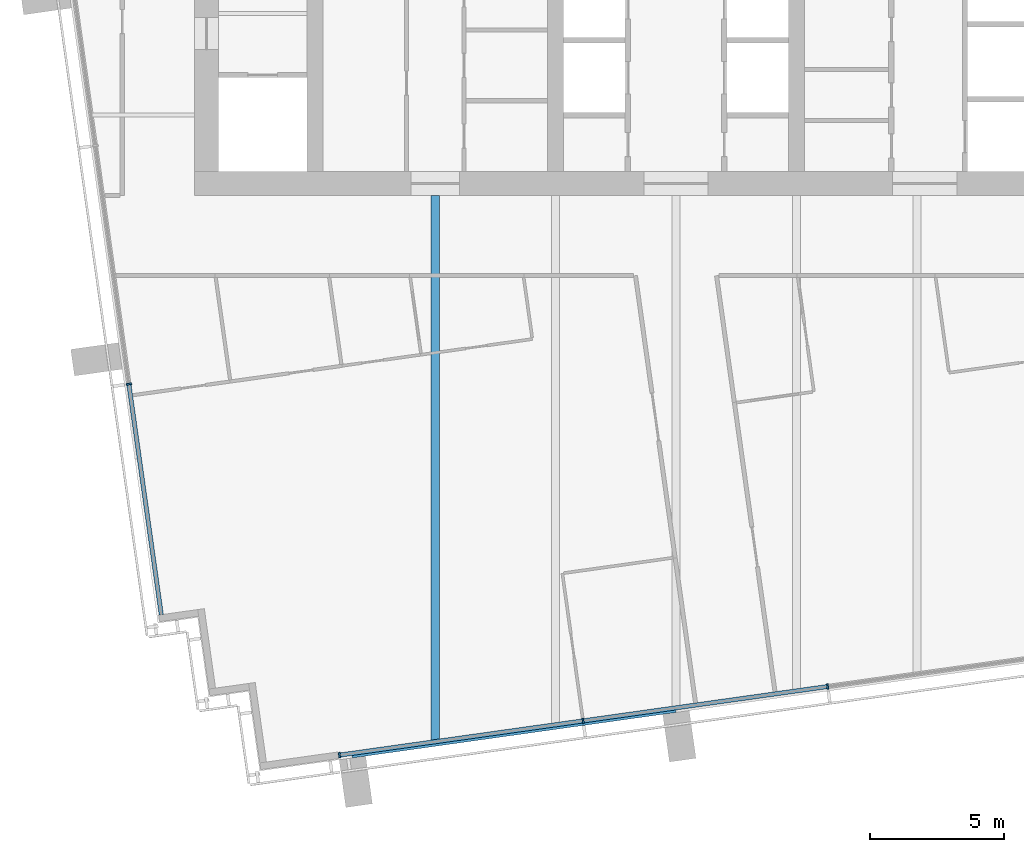
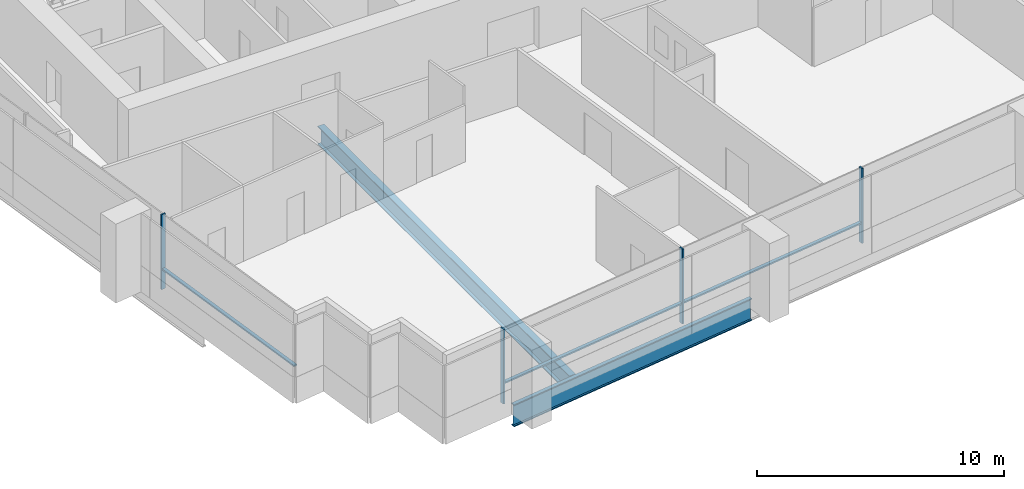
# One storey, part 2 of 18: 7 members, 2 beams, 2 elements without a shape of their own.
"""IFC4 building model written with IfcOpenShell, lengths in metres."""

from ifc_helpers import new_model, si_unit, direction, frame, origin, origin_2d, place, context, subcontext, project, spatial, rectangle, i_section, extrude, material, layer, layer_set, material_profile, profile_set, type_object, element, aggregate, save


model = new_model("IFC4")

# Units and contexts
model_context = context("Model", 3, precision=1e-05, world=origin(), true_north=direction((0.0, 1.0)))
body_context = subcontext(model_context, "Body", "Model", "MODEL_VIEW")
ifc_project = project(units=[si_unit("LENGTHUNIT", "METRE"), si_unit("AREAUNIT", "SQUARE_METRE"), si_unit("VOLUMEUNIT", "CUBIC_METRE"), si_unit("PLANEANGLEUNIT", "RADIAN"), si_unit("MASSUNIT", "GRAM", prefix="KILO")], contexts=[model_context])

# Site, building, storey
site_placement = place(None, origin())
site = spatial("IfcSite", under=ifc_project, at=site_placement, CompositionType="ELEMENT")
building_placement = place(site_placement, origin())
building = spatial("IfcBuilding", under=site, at=building_placement, Name="Rattan Terrace Tower", CompositionType="ELEMENT")
storey_placement = place(building_placement, frame((0.0, 0.0, 233.0)))
storey = spatial("IfcBuildingStorey", under=building, at=storey_placement, Name="L53", CompositionType="ELEMENT", Elevation=233.0)

# Beams
ifc_material_1 = material(Name="Steel S460", Category="steel")
ifc_material_profile_1 = material_profile(ifc_material_1, i_section(OverallWidth=0.179931640625, OverallDepth=1.10009765625, WebThickness=0.01611328125, FlangeThickness=0.050048828125, at=origin_2d()), Name="PG 1100x180-16-50")
ifc_profile_set_1 = profile_set([ifc_material_profile_1], Name="Steel S460")
beam_type_1 = type_object("IfcBeamType", Name="Frame edge girder PG 1100x180-16-50", PredefinedType="SPANDREL", material=ifc_profile_set_1)
beam_1_placement = place(storey_placement, frame((-12.10888671875, -28.43603515625, -0.75), z_axis=(0.990268332234, 0.139171226104, 0.0), x_axis=(-0.139171226104, 0.990268332234, 0.0)))
element("IfcBeam", 1, at=beam_1_placement, inside=storey, type_object=beam_type_1, Name="gdr-L53-001", PredefinedType="SPANDREL", context=body_context, shape_type="SweptSolid", body=[
    extrude(i_section(OverallWidth=0.179931640625, OverallDepth=1.10009765625, WebThickness=0.01611328125, FlangeThickness=0.050048828125, at=origin_2d()), origin(), (0.0, 0.0, 1.0), 12.21484375),
])
ifc_material_2 = material(Name="Steel S460", Category="steel")
ifc_material_profile_2 = material_profile(ifc_material_2, i_section(OverallWidth=0.300048828125, OverallDepth=0.89990234375, WebThickness=0.013916015625, FlangeThickness=0.035888671875, at=origin_2d()), Name="PG 900x300-14-36")
ifc_profile_set_2 = profile_set([ifc_material_profile_2], Name="Steel S460")
beam_type_2 = type_object("IfcBeamType", Name="Frame floor beam PG 900x300-14-36", PredefinedType="JOIST", material=ifc_profile_set_2)
beam_2_placement = place(storey_placement, frame((-9.0, -27.886962890625, -0.64990234375), z_axis=(0.0, 1.0, 0.0), x_axis=(-1.0, 0.0, 0.0)))
element("IfcBeam", 2, at=beam_2_placement, inside=storey, type_object=beam_type_2, Name="bm-L53-003", PredefinedType="JOIST", context=body_context, shape_type="SweptSolid", body=[
    extrude(i_section(OverallWidth=0.300048828125, OverallDepth=0.89990234375, WebThickness=0.013916015625, FlangeThickness=0.035888671875, at=origin_2d()), origin(), (0.0, 0.0, 1.0), 20.386962890625),
])

# Curtain wall, member
ifc_material_3 = material(Name="Aluminium and laminated glass", Category="aluminium")
ifc_layer = layer(ifc_material_3, 0.199951171875)
ifc_layer_set = layer_set([ifc_layer], Name="High-Zone Unitised Curtain Wall")
curtain_wall_type = type_object("IfcCurtainWallType", Name="High-Zone Unitised Curtain Wall", PredefinedType="NOTDEFINED", material=ifc_layer_set)
curtain_wall_1_placement = place(storey_placement, origin())
curtain_wall_1 = element("IfcCurtainWall", 3, at=curtain_wall_1_placement, inside=storey, type_object=curtain_wall_type, Name="High-zone curtain wall L53-3", PredefinedType="NOTDEFINED")
ifc_material_4 = material(Name="Aluminium", Category="aluminium")
ifc_material_profile_3 = material_profile(ifc_material_4, rectangle(XDim=0.070068359375, YDim=0.199951171875, at=origin_2d()), Name="Aluminium 70x200")
ifc_profile_set_3 = profile_set([ifc_material_profile_3], Name="Aluminium")
member_type_1 = type_object("IfcMemberType", Name="High-Zone CW Mullion 70x200", PredefinedType="MULLION", material=ifc_profile_set_3)
member_1_placement = place(storey_placement, frame((-20.452392578125, -14.551025390625, 0.0), z_axis=(0.0, 0.0, 1.0), x_axis=(0.139186165309, -0.990266232579, 0.0)))
member_1 = element("IfcMember", 4, at=member_1_placement, type_object=member_type_1, Name="Mullion cwl-L53-003.3", PredefinedType="MULLION", context=body_context, shape_type="SweptSolid", body=[
    extrude(rectangle(XDim=0.070068359375, YDim=0.199951171875, at=origin_2d()), origin(), (0.0, 0.0, 1.0), 3.699951171875),
])

# Curtain wall, members
curtain_wall_2_placement = place(storey_placement, origin())
curtain_wall_2 = element("IfcCurtainWall", 5, at=curtain_wall_2_placement, inside=storey, type_object=curtain_wall_type, Name="High-zone curtain wall L53-4", PredefinedType="NOTDEFINED")
member_2_placement = place(storey_placement, frame((-12.580078125, -28.4208984375, 0.0), z_axis=(0.0, 0.0, 1.0), x_axis=(0.990267457022, 0.139177453499, 0.0)))
member_2 = element("IfcMember", 6, at=member_2_placement, type_object=member_type_1, Name="Mullion cwl-L53-004.1", PredefinedType="MULLION", context=body_context, shape_type="SweptSolid", body=[
    extrude(rectangle(XDim=0.070068359375, YDim=0.199951171875, at=origin_2d()), origin(), (0.0, 0.0, 1.0), 3.699951171875),
])
member_3_placement = place(storey_placement, frame((-3.473388671875, -27.140869140625, 0.0), z_axis=(0.0, 0.0, 1.0), x_axis=(0.990267457022, 0.139177453499, 0.0)))
member_3 = element("IfcMember", 7, at=member_3_placement, type_object=member_type_1, Name="Mullion cwl-L53-004.2", PredefinedType="MULLION", context=body_context, shape_type="SweptSolid", body=[
    extrude(rectangle(XDim=0.070068359375, YDim=0.199951171875, at=origin_2d()), origin(), (0.0, 0.0, 1.0), 3.699951171875),
])
member_4_placement = place(storey_placement, frame((5.667724609375, -25.856201171875, 0.0), z_axis=(0.0, 0.0, 1.0), x_axis=(0.990267457022, 0.139177453499, 0.0)))
member_4 = element("IfcMember", 8, at=member_4_placement, type_object=member_type_1, Name="Mullion cwl-L53-004.3", PredefinedType="MULLION", context=body_context, shape_type="SweptSolid", body=[
    extrude(rectangle(XDim=0.070068359375, YDim=0.199951171875, at=origin_2d()), origin(), (0.0, 0.0, 1.0), 3.699951171875),
])

# Member
ifc_material_5 = material(Name="Aluminium", Category="aluminium")
ifc_material_profile_4 = material_profile(ifc_material_5, rectangle(XDim=0.159912109375, YDim=0.070068359375, at=origin_2d()), Name="Aluminium 160x70")
ifc_profile_set_4 = profile_set([ifc_material_profile_4], Name="Aluminium")
member_type_2 = type_object("IfcMemberType", Name="High-Zone CW Transom 160x70", PredefinedType="USERDEFINED", material=ifc_profile_set_4)
member_5_placement = place(storey_placement, frame((-20.447509765625, -14.585693359375, 1.0), z_axis=(0.139193563319, -0.990265192729, 0.0), x_axis=(0.990265192729, 0.139193563319, 0.0)))
member_5 = element("IfcMember", 9, at=member_5_placement, type_object=member_type_2, Name="Transom cwl-L53-003.3", ObjectType="TRANSOM", PredefinedType="USERDEFINED", context=body_context, shape_type="SweptSolid", body=[
    extrude(rectangle(XDim=0.159912109375, YDim=0.070068359375, at=origin_2d()), origin(), (0.0, 0.0, 1.0), 8.669921875),
])

aggregate(curtain_wall_1, [member_1, member_5])

member_6_placement = place(storey_placement, frame((-12.54541015625, -28.416015625, 1.0), z_axis=(0.990265856778, 0.139188838988, 0.0), x_axis=(-0.139188838988, 0.990265856778, 0.0)))
member_6 = element("IfcMember", 10, at=member_6_placement, type_object=member_type_2, Name="Transom cwl-L53-004.1", ObjectType="TRANSOM", PredefinedType="USERDEFINED", context=body_context, shape_type="SweptSolid", body=[
    extrude(rectangle(XDim=0.159912109375, YDim=0.070068359375, at=origin_2d()), origin(), (0.0, 0.0, 1.0), 9.126220703125),
])

member_7_placement = place(storey_placement, frame((-3.438720703125, -27.135986328125, 1.0), z_axis=(0.990268863305, 0.13916744723, 0.0), x_axis=(-0.13916744723, 0.990268863305, 0.0)))
member_7 = element("IfcMember", 11, at=member_7_placement, type_object=member_type_2, Name="Transom cwl-L53-004.2", ObjectType="TRANSOM", PredefinedType="USERDEFINED", context=body_context, shape_type="SweptSolid", body=[
    extrude(rectangle(XDim=0.159912109375, YDim=0.070068359375, at=origin_2d()), origin(), (0.0, 0.0, 1.0), 9.160888671875),
])

aggregate(curtain_wall_2, [member_2, member_3, member_4, member_6, member_7])

save(model, "model.ifc")
